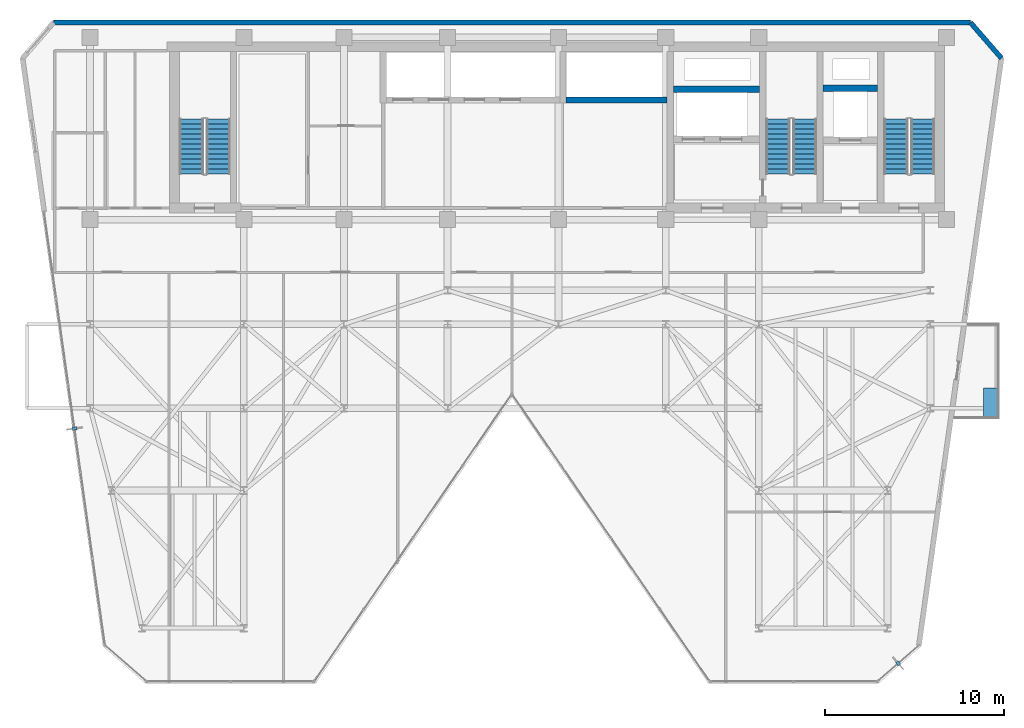
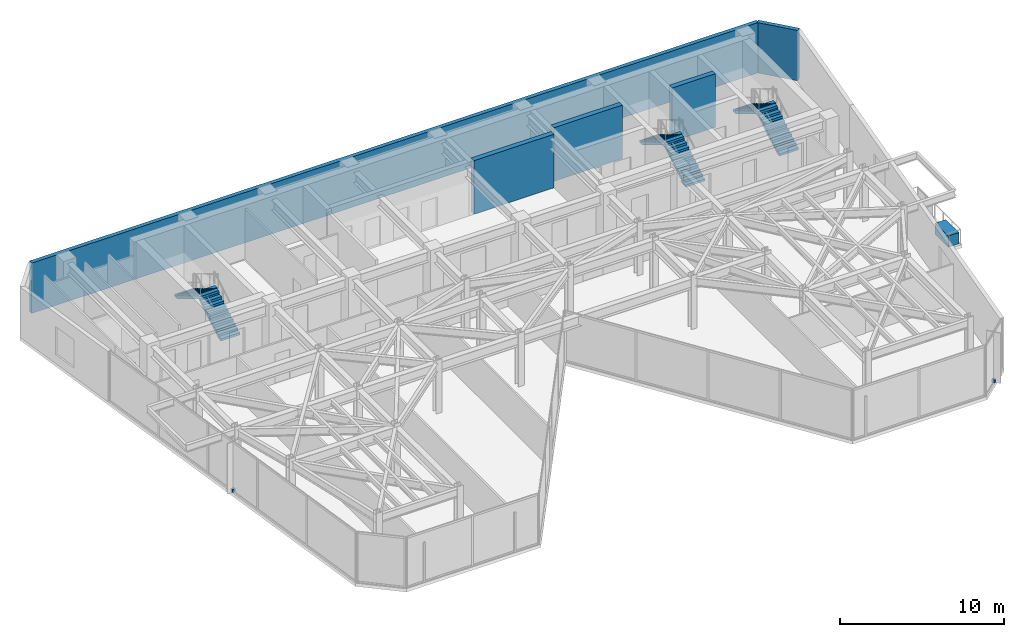
# One storey, part 24 of 27: 6 stair flights, 5 walls, 3 discrete accessories, 3 elements without a shape of their own.
"""IFC4 building model written with IfcOpenShell, lengths in metres."""

import ifcopenshell
import ifcopenshell.guid

model = None  # the IFC model being written
_history = None  # IfcOwnerHistory: only IFC2X3 demands one
_inside = {}  # id of a spatial element -> (the spatial element, [elements in it])
_under = {}  # id of a project, library or spatial element -> (it, [spatial elements below it])
_declared = {}  # id of a project -> (the project, [libraries it declares])
_typed = {}  # id of a type object -> (the type object, [elements of that type])
_made_of = {}  # id of a material, layer set ... -> (it, [elements and type objects made of it])


def new_model(schema):
    """Start an empty IFC model of exactly this schema.

    Asked for "IFC4X3", IfcOpenShell would pick the latest addendum, in which some entities
    have other attributes; the version numbers below select the first issue.
    IFC2X3 requires an IfcOwnerHistory on every rooted entity: one is made here for all.
    """
    global model, _history
    if schema == "IFC4X3":
        model = ifcopenshell.file(schema_version=(4, 3, 0, 0))
    else:
        model = ifcopenshell.file(schema=schema)
    _inside.clear()
    _under.clear()
    _declared.clear()
    _typed.clear()
    _made_of.clear()
    _history = None
    if model.schema == "IFC2X3":
        org = make("IfcOrganization", Name="unknown")
        user = make(
            "IfcPersonAndOrganization",
            ThePerson=make("IfcPerson", FamilyName="unknown"),
            TheOrganization=org,
        )
        app = make(
            "IfcApplication",
            ApplicationDeveloper=org,
            Version="unknown",
            ApplicationFullName="unknown",
            ApplicationIdentifier="unknown",
        )
        _history = make(
            "IfcOwnerHistory",
            OwningUser=user,
            OwningApplication=app,
            ChangeAction="ADDED",
            CreationDate=0,
        )
    return model


def make(cls, **values):
    """One entity of the class cls with the attributes given. An attribute that is None is left unset."""
    return model.create_entity(
        cls, **{name: value for name, value in values.items() if value is not None}
    )


def rooted(cls, **values):
    """An entity with a GlobalId (a new one), such as an element, a storey or a relation."""
    return make(cls, GlobalId=ifcopenshell.guid.new(), OwnerHistory=_history, **values)


def si_unit(unit_type, name, prefix=None):
    """IfcSIUnit, for example si_unit("LENGTHUNIT", "METRE", prefix="MILLI")."""
    return make("IfcSIUnit", UnitType=unit_type, Prefix=prefix, Name=name)


def assignment(units):
    """IfcUnitAssignment: the units of a project."""
    return None if units is None else make("IfcUnitAssignment", Units=units)


def point(xyz):
    """IfcCartesianPoint."""
    return None if xyz is None else make("IfcCartesianPoint", Coordinates=xyz)


def direction(xyz):
    """IfcDirection."""
    return None if xyz is None else make("IfcDirection", DirectionRatios=xyz)


def frame(location, z_axis=None, x_axis=None):
    """IfcAxis2Placement3D, a coordinate frame: its origin and axes. An axis left out is left unset."""
    return make(
        "IfcAxis2Placement3D",
        Location=point(location),
        Axis=direction(z_axis),
        RefDirection=direction(x_axis),
    )


def frame_2d(location, x_axis=None):
    """IfcAxis2Placement2D, a coordinate frame in the plane: its origin and x axis."""
    return make(
        "IfcAxis2Placement2D", Location=point(location), RefDirection=direction(x_axis)
    )


def origin():
    """The frame at (0, 0, 0) with its axes left unset."""
    return frame((0.0, 0.0, 0.0))


def origin_2d():
    """The frame at (0, 0) in the plane with its x axis left unset."""
    return frame_2d((0.0, 0.0))


def place(relative_to, where):
    """IfcLocalPlacement: puts the frame where relative to a parent placement (None: the world)."""
    return make(
        "IfcLocalPlacement", PlacementRelTo=relative_to, RelativePlacement=where
    )


def context(
    kind, dimensions, precision=None, world=None, true_north=None, identifier=None
):
    """IfcGeometricRepresentationContext, for example the 3D "Model" context."""
    return make(
        "IfcGeometricRepresentationContext",
        ContextIdentifier=identifier,
        ContextType=kind,
        CoordinateSpaceDimension=dimensions,
        Precision=precision,
        WorldCoordinateSystem=world,
        TrueNorth=true_north,
    )


def subcontext(parent, identifier, kind, view, scale=None):
    """IfcGeometricRepresentationSubContext, for example "Body" below "Model"."""
    return make(
        "IfcGeometricRepresentationSubContext",
        ContextIdentifier=identifier,
        ContextType=kind,
        ParentContext=parent,
        TargetScale=scale,
        TargetView=view,
    )


def project(units=None, contexts=None):
    """IfcProject with its units and contexts."""
    return rooted(
        "IfcProject",
        Name="project",
        RepresentationContexts=contexts,
        UnitsInContext=assignment(units),
    )


def spatial(cls, under=None, at=None, **own):
    """A site, building, storey or space (cls), placed at a placement, below another one or the project."""
    s = rooted(cls, ObjectPlacement=at, **own)
    if under is not None:
        _under.setdefault(under.id(), (under, []))[1].append(s)
    return s


def polyline(points):
    """IfcPolyline through the points."""
    return make("IfcPolyline", Points=[point(p) for p in points])


def profile(cls, at=None, kind="AREA", **sizes):
    """A parametric profile (cls). Its sizes go by their IFC names, for example OverallWidth=200.0."""
    return make(cls, ProfileType=kind, Position=at, **sizes)


def rectangle(**sizes):
    """IfcRectangleProfileDef."""
    return profile("IfcRectangleProfileDef", **sizes)


def outline(outer, holes=None, kind="AREA"):
    """IfcArbitraryClosedProfileDef: a profile drawn as a closed curve; with holes, ...WithVoids."""
    if holes is None:
        return make("IfcArbitraryClosedProfileDef", ProfileType=kind, OuterCurve=outer)
    return make(
        "IfcArbitraryProfileDefWithVoids",
        ProfileType=kind,
        OuterCurve=outer,
        InnerCurves=holes,
    )


def extrude(swept, where, along, depth):
    """IfcExtrudedAreaSolid: the profile swept, set in the frame where, extruded along a direction by depth."""
    return make(
        "IfcExtrudedAreaSolid",
        SweptArea=swept,
        Position=where,
        ExtrudedDirection=direction(along),
        Depth=depth,
    )


def shape(context_of_items, identifier, shape_type, items):
    """IfcShapeRepresentation: the items that make up one representation, for example the "Body"."""
    return make(
        "IfcShapeRepresentation",
        ContextOfItems=context_of_items,
        RepresentationIdentifier=identifier,
        RepresentationType=shape_type,
        Items=items,
    )


def material(Name=None, Category=None):
    """IfcMaterial."""
    return make("IfcMaterial", Name=Name, Category=Category)


def layer(
    of_material, thickness, ventilated=None, Name=None, Category=None, Priority=None
):
    """IfcMaterialLayer: one layer of a wall or slab, of a material (None: an air gap)."""
    return make(
        "IfcMaterialLayer",
        Material=of_material,
        LayerThickness=thickness,
        IsVentilated=ventilated,
        Name=Name,
        Category=Category,
        Priority=Priority,
    )


def layer_set(layers, Name=None):
    """IfcMaterialLayerSet."""
    return make("IfcMaterialLayerSet", MaterialLayers=layers, LayerSetName=Name)


def made_of(thing, what):
    """Note that an element or type object is made of a material, layer set ...; save() writes the relation."""
    if what is not None:
        _made_of.setdefault(what.id(), (what, []))[1].append(thing)
    return thing


def type_object(cls, material=None, **own):
    """A type object (cls), such as IfcWallType, which elements share."""
    return made_of(rooted(cls, **own), material)


def element(
    cls,
    number,
    at=None,
    inside=None,
    cuts=None,
    type_object=None,
    material=None,
    context=None,
    identifier="Body",
    shape_type=None,
    held_by="IfcProductDefinitionShape",
    body=None,
    shapes=None,
    **own,
):
    """One element of the class cls, such as IfcWall. Its Tag is "e" and its number.

    at: its placement. inside: the storey or other place that contains it. cuts: it is an
    opening in that element (IfcRelVoidsElement). A single representation is given by context,
    identifier, shape_type and body (its items); several are given by shapes. held_by: the class
    of the entity that holds the representations. save() writes the other relations.
    """
    e = rooted(cls, Tag="e%d" % number, ObjectPlacement=at, **own)
    if body is not None:
        shapes = [shape(context, identifier, shape_type, body)]
    if shapes is not None:
        e.Representation = make(held_by, Representations=shapes)
    if inside is not None:
        _inside.setdefault(inside.id(), (inside, []))[1].append(e)
    if cuts is not None:
        rooted(
            "IfcRelVoidsElement", RelatingBuildingElement=cuts, RelatedOpeningElement=e
        )
    if type_object is not None:
        _typed.setdefault(type_object.id(), (type_object, []))[1].append(e)
    return made_of(e, material)


def aggregate(whole, parts):
    """IfcRelAggregates: a whole, such as a stair, and the parts it consists of."""
    return rooted("IfcRelAggregates", RelatingObject=whole, RelatedObjects=parts)


def save(model, path):
    """Write the relations noted so far, then the file.

    IfcRelAggregates (storeys below a building ...), IfcRelContainedInSpatialStructure (elements
    in a storey), IfcRelDefinesByType, IfcRelAssociatesMaterial and IfcRelDeclares: one each for
    every whole, place, type object, material and project.
    """
    for whole, parts in _under.values():
        aggregate(whole, parts)
    for where, things in _inside.values():
        rooted(
            "IfcRelContainedInSpatialStructure",
            RelatedElements=things,
            RelatingStructure=where,
        )
    for kind, things in _typed.values():
        rooted("IfcRelDefinesByType", RelatedObjects=things, RelatingType=kind)
    for what, things in _made_of.values():
        rooted("IfcRelAssociatesMaterial", RelatedObjects=things, RelatingMaterial=what)
    for by, libraries in _declared.values():
        rooted("IfcRelDeclares", RelatingContext=by, RelatedDefinitions=libraries)
    model.write(path)


model = new_model("IFC4")

# Units and contexts
model_context = context("Model", 3, precision=1e-05, world=origin(), true_north=direction((0.0, 1.0)))
body_context = subcontext(model_context, "Body", "Model", "MODEL_VIEW")
ifc_project = project(units=[si_unit("LENGTHUNIT", "METRE"), si_unit("AREAUNIT", "SQUARE_METRE"), si_unit("VOLUMEUNIT", "CUBIC_METRE"), si_unit("PLANEANGLEUNIT", "RADIAN"), si_unit("MASSUNIT", "GRAM", prefix="KILO")], contexts=[model_context])

# Site, building, storey
site_placement = place(None, origin())
site = spatial("IfcSite", under=ifc_project, at=site_placement, CompositionType="ELEMENT")
building_placement = place(site_placement, origin())
building = spatial("IfcBuilding", under=site, at=building_placement, Name="Kravanh Interchange Tower", CompositionType="ELEMENT")
storey_placement = place(building_placement, frame((0.0, 0.0, 164.5)))
storey = spatial("IfcBuildingStorey", under=building, at=storey_placement, Name="L39", CompositionType="ELEMENT", Elevation=164.5)

# Walls
ifc_material_1 = material(Name="Concrete C60/75", Category="concrete")
ifc_layer_1 = layer(ifc_material_1, 0.35009765625)
ifc_layer_set_1 = layer_set([ifc_layer_1], Name="Core Shear Wall Concrete C60/75 350mm")
wall_type_1 = type_object("IfcWallType", Name="Core Shear Wall Concrete C60/75 350mm", PredefinedType="SHEAR", material=ifc_layer_set_1)
wall_1_placement = place(storey_placement, frame((59.60009765625, 44.699951171875, 0.0), z_axis=(0.0, 0.0, 1.0), x_axis=(1.0, 0.0, 0.0)))
element("IfcWall", 1, at=wall_1_placement, inside=storey, type_object=wall_type_1, Name="L39 Service Lift Shaft North Wall", PredefinedType="SHEAR", context=body_context, shape_type="SweptSolid", body=[
    extrude(rectangle(XDim=3.0498046875, YDim=0.35009765625, at=frame_2d((1.52490234375, 0.0))), origin(), (0.0, 0.0, 1.0), 4.0),
])
wall_2_placement = place(storey_placement, frame((51.22509765625, 44.64990234375, 0.0), z_axis=(0.0, 0.0, 1.0), x_axis=(1.0, 0.0, 0.0)))
element("IfcWall", 2, at=wall_2_placement, inside=storey, type_object=wall_type_1, Name="L39 Fire Lift Shaft North Wall", PredefinedType="SHEAR", context=body_context, shape_type="SweptSolid", body=[
    extrude(rectangle(XDim=4.824951171875, YDim=0.35009765625, at=frame_2d((2.41259765625, 0.0))), origin(), (0.0, 0.0, 1.0), 4.0),
])
wall_3_placement = place(storey_placement, frame((45.22509765625, 44.050048828125, 0.0), z_axis=(0.0, 0.0, 1.0), x_axis=(1.0, 0.0, 0.0)))
element("IfcWall", 3, at=wall_3_placement, inside=storey, type_object=wall_type_1, Name="L39 High-Rise Lift Shaft South Wall", PredefinedType="SHEAR", context=body_context, shape_type="SweptSolid", body=[
    extrude(rectangle(XDim=5.64990234375, YDim=0.35009765625, at=frame_2d((2.824951171875, 0.0))), origin(), (0.0, 0.0, 1.0), 4.0),
])
ifc_material_2 = material(Name="Insulated Precast Concrete C40/50 with Bronze Cladding", Category="concrete")
ifc_layer_2 = layer(ifc_material_2, 0.280029296875)
ifc_layer_set_2 = layer_set([ifc_layer_2], Name="Exterior Insulated Concrete C40/50 Bronze Spandrel Wall 280mm")
wall_type_2 = type_object("IfcWallType", Name="Exterior Insulated Concrete C40/50 Bronze Spandrel Wall 280mm", PredefinedType="STANDARD", material=ifc_layer_set_2)
wall_4_placement = place(storey_placement, frame((16.5546875, 48.3798828125, 0.0), z_axis=(0.0, 0.0, 1.0), x_axis=(1.0, 0.0, 0.0)))
element("IfcWall", 4, at=wall_4_placement, inside=storey, type_object=wall_type_2, Name="L39 Exterior Wall 3", PredefinedType="STANDARD", context=body_context, shape_type="SweptSolid", body=[
    extrude(rectangle(XDim=51.29052734375, YDim=0.280029296875, at=frame_2d((25.645263671875, 0.0))), origin(), (0.0, 0.0, 1.0), 3.7548828125),
])
wall_5_placement = place(storey_placement, frame((67.84521484375, 48.3798828125, 0.0), z_axis=(0.0, 0.0, 1.0), x_axis=(0.656071351282, -0.754698868442, 0.0)))
element("IfcWall", 5, at=wall_5_placement, inside=storey, type_object=wall_type_2, Name="L39 Exterior Wall 4", PredefinedType="STANDARD", context=body_context, shape_type="SweptSolid", body=[
    extrude(rectangle(XDim=2.646240234375, YDim=0.280029296875, at=frame_2d((1.3232421875, 0.0))), origin(), (0.0, 0.0, 1.0), 3.7548828125),
])

# Stair, stair flights
ifc_material_3 = material(Name="Concrete C50/60", Category="concrete")
stair_type = type_object("IfcStairType", Name="Core Fire Exit Dogleg Stair Concrete C50/60", PredefinedType="HALF_TURN_STAIR", material=ifc_material_3)
stair_1_placement = place(storey_placement, origin())
stair_1 = element("IfcStair", 6, at=stair_1_placement, inside=storey, type_object=stair_type, Name="L39 Exit Stair ST1", PredefinedType="HALF_TURN_STAIR")
ifc_material_4 = material(Name="Precast Concrete C50/60", Category="concrete")
ifc_layer_3 = layer(ifc_material_4, 0.199951171875)
ifc_layer_set_3 = layer_set([ifc_layer_3], Name="Precast Concrete C50/60 Stair Flight 1350mm")
stair_flight_type = type_object("IfcStairFlightType", Name="Precast Concrete C50/60 Stair Flight 1350mm", PredefinedType="STRAIGHT", material=ifc_layer_set_3)
stair_flight_1_placement = place(storey_placement, frame((65.175048828125, 39.89990234375, 0.0), z_axis=(0.0, 0.0, 1.0), x_axis=(0.0, 1.0, 0.0)))
stair_flight_1 = element("IfcStairFlight", 7, at=stair_flight_1_placement, type_object=stair_flight_type, Name="ST1 flight 1", NumberOfRisers=12, NumberOfTreads=11, PredefinedType="STRAIGHT", RiserHeight=0.166666667, TreadLength=0.28, context=body_context, shape_type="SweptSolid", body=[
    extrude(outline(polyline([(0.0, 0.0), (0.0, 0.166748046875), (0.280029296875, 0.166748046875), (0.280029296875, 0.333251953125), (0.56005859375, 0.333251953125), (0.56005859375, 0.5), (0.840087890625, 0.5), (0.840087890625, 0.666748046875), (1.1201171875, 0.666748046875), (1.1201171875, 0.833251953125), (1.39990234375, 0.833251953125), (1.39990234375, 1.0), (1.679931640625, 1.0), (1.679931640625, 1.166748046875), (1.9599609375, 1.166748046875), (1.9599609375, 1.333251953125), (2.239990234375, 1.333251953125), (2.239990234375, 1.5), (2.52001953125, 1.5), (2.52001953125, 1.666748046875), (2.800048828125, 1.666748046875), (2.800048828125, 1.833251953125), (3.080078125, 1.833251953125), (3.080078125, 2.0), (3.080078125, 1.658935546875), (0.29296875, 0.0), (0.0, 0.0)])), frame((0.0, 0.675048828125, 0.0), z_axis=(0.0, -1.0, 0.0), x_axis=(1.0, 0.0, 0.0)), (0.0, 0.0, 1.0), 1.35009765625),
])
stair_flight_2_placement = place(storey_placement, frame((63.675048828125, 42.97998046875, 2.0), z_axis=(0.0, 0.0, 1.0), x_axis=(0.0, -1.0, 0.0)))
stair_flight_2 = element("IfcStairFlight", 8, at=stair_flight_2_placement, type_object=stair_flight_type, Name="ST1 flight 2", NumberOfRisers=12, NumberOfTreads=11, PredefinedType="STRAIGHT", RiserHeight=0.166666667, TreadLength=0.28, context=body_context, shape_type="SweptSolid", body=[
    extrude(outline(polyline([(0.0, 0.0), (0.0, 0.166748046875), (0.280029296875, 0.166748046875), (0.280029296875, 0.333251953125), (0.56005859375, 0.333251953125), (0.56005859375, 0.5), (0.840087890625, 0.5), (0.840087890625, 0.666748046875), (1.1201171875, 0.666748046875), (1.1201171875, 0.833251953125), (1.39990234375, 0.833251953125), (1.39990234375, 1.0), (1.679931640625, 1.0), (1.679931640625, 1.166748046875), (1.9599609375, 1.166748046875), (1.9599609375, 1.333251953125), (2.239990234375, 1.333251953125), (2.239990234375, 1.5), (2.52001953125, 1.5), (2.52001953125, 1.666748046875), (2.800048828125, 1.666748046875), (2.800048828125, 1.833251953125), (3.080078125, 1.833251953125), (3.080078125, 2.0), (3.080078125, 1.658935546875), (0.29296875, 0.0), (0.0, 0.0)])), frame((0.0, 0.675048828125, 0.0), z_axis=(0.0, -1.0, 0.0), x_axis=(1.0, 0.0, 0.0)), (0.0, 0.0, 1.0), 1.35009765625),
])
aggregate(stair_1, [stair_flight_1, stair_flight_2])

stair_2_placement = place(storey_placement, origin())
stair_2 = element("IfcStair", 9, at=stair_2_placement, inside=storey, type_object=stair_type, Name="L39 Exit Stair ST2", PredefinedType="HALF_TURN_STAIR")
stair_flight_3_placement = place(storey_placement, frame((58.574951171875, 39.89990234375, 0.0), z_axis=(0.0, 0.0, 1.0), x_axis=(0.0, 1.0, 0.0)))
stair_flight_3 = element("IfcStairFlight", 10, at=stair_flight_3_placement, type_object=stair_flight_type, Name="ST2 flight 1", NumberOfRisers=12, NumberOfTreads=11, PredefinedType="STRAIGHT", RiserHeight=0.166666667, TreadLength=0.28, context=body_context, shape_type="SweptSolid", body=[
    extrude(outline(polyline([(0.0, 0.0), (0.0, 0.166748046875), (0.280029296875, 0.166748046875), (0.280029296875, 0.333251953125), (0.56005859375, 0.333251953125), (0.56005859375, 0.5), (0.840087890625, 0.5), (0.840087890625, 0.666748046875), (1.1201171875, 0.666748046875), (1.1201171875, 0.833251953125), (1.39990234375, 0.833251953125), (1.39990234375, 1.0), (1.679931640625, 1.0), (1.679931640625, 1.166748046875), (1.9599609375, 1.166748046875), (1.9599609375, 1.333251953125), (2.239990234375, 1.333251953125), (2.239990234375, 1.5), (2.52001953125, 1.5), (2.52001953125, 1.666748046875), (2.800048828125, 1.666748046875), (2.800048828125, 1.833251953125), (3.080078125, 1.833251953125), (3.080078125, 2.0), (3.080078125, 1.658935546875), (0.29296875, 0.0), (0.0, 0.0)])), frame((0.0, 0.675048828125, 0.0), z_axis=(0.0, -1.0, 0.0), x_axis=(1.0, 0.0, 0.0)), (0.0, 0.0, 1.0), 1.35009765625),
])
stair_flight_4_placement = place(storey_placement, frame((57.074951171875, 42.97998046875, 2.0), z_axis=(0.0, 0.0, 1.0), x_axis=(0.0, -1.0, 0.0)))
stair_flight_4 = element("IfcStairFlight", 11, at=stair_flight_4_placement, type_object=stair_flight_type, Name="ST2 flight 2", NumberOfRisers=12, NumberOfTreads=11, PredefinedType="STRAIGHT", RiserHeight=0.166666667, TreadLength=0.28, context=body_context, shape_type="SweptSolid", body=[
    extrude(outline(polyline([(0.0, 0.0), (0.0, 0.166748046875), (0.280029296875, 0.166748046875), (0.280029296875, 0.333251953125), (0.56005859375, 0.333251953125), (0.56005859375, 0.5), (0.840087890625, 0.5), (0.840087890625, 0.666748046875), (1.1201171875, 0.666748046875), (1.1201171875, 0.833251953125), (1.39990234375, 0.833251953125), (1.39990234375, 1.0), (1.679931640625, 1.0), (1.679931640625, 1.166748046875), (1.9599609375, 1.166748046875), (1.9599609375, 1.333251953125), (2.239990234375, 1.333251953125), (2.239990234375, 1.5), (2.52001953125, 1.5), (2.52001953125, 1.666748046875), (2.800048828125, 1.666748046875), (2.800048828125, 1.833251953125), (3.080078125, 1.833251953125), (3.080078125, 2.0), (3.080078125, 1.658935546875), (0.29296875, 0.0), (0.0, 0.0)])), frame((0.0, 0.675048828125, 0.0), z_axis=(0.0, -1.0, 0.0), x_axis=(1.0, 0.0, 0.0)), (0.0, 0.0, 1.0), 1.35009765625),
])
aggregate(stair_2, [stair_flight_3, stair_flight_4])

stair_3_placement = place(storey_placement, origin())
stair_3 = element("IfcStair", 12, at=stair_3_placement, inside=storey, type_object=stair_type, Name="L39 Exit Stair ST3", PredefinedType="HALF_TURN_STAIR")
stair_flight_5_placement = place(storey_placement, frame((25.77490234375, 39.89990234375, 0.0), z_axis=(0.0, 0.0, 1.0), x_axis=(0.0, 1.0, 0.0)))
stair_flight_5 = element("IfcStairFlight", 13, at=stair_flight_5_placement, type_object=stair_flight_type, Name="ST3 flight 1", NumberOfRisers=12, NumberOfTreads=11, PredefinedType="STRAIGHT", RiserHeight=0.166666667, TreadLength=0.28, context=body_context, shape_type="SweptSolid", body=[
    extrude(outline(polyline([(0.0, 0.0), (0.0, 0.166748046875), (0.280029296875, 0.166748046875), (0.280029296875, 0.333251953125), (0.56005859375, 0.333251953125), (0.56005859375, 0.5), (0.840087890625, 0.5), (0.840087890625, 0.666748046875), (1.1201171875, 0.666748046875), (1.1201171875, 0.833251953125), (1.39990234375, 0.833251953125), (1.39990234375, 1.0), (1.679931640625, 1.0), (1.679931640625, 1.166748046875), (1.9599609375, 1.166748046875), (1.9599609375, 1.333251953125), (2.239990234375, 1.333251953125), (2.239990234375, 1.5), (2.52001953125, 1.5), (2.52001953125, 1.666748046875), (2.800048828125, 1.666748046875), (2.800048828125, 1.833251953125), (3.080078125, 1.833251953125), (3.080078125, 2.0), (3.080078125, 1.658935546875), (0.29296875, 0.0), (0.0, 0.0)])), frame((0.0, 0.675048828125, 0.0), z_axis=(0.0, -1.0, 0.0), x_axis=(1.0, 0.0, 0.0)), (0.0, 0.0, 1.0), 1.35009765625),
])
stair_flight_6_placement = place(storey_placement, frame((24.27490234375, 42.97998046875, 2.0), z_axis=(0.0, 0.0, 1.0), x_axis=(0.0, -1.0, 0.0)))
stair_flight_6 = element("IfcStairFlight", 14, at=stair_flight_6_placement, type_object=stair_flight_type, Name="ST3 flight 2", NumberOfRisers=12, NumberOfTreads=11, PredefinedType="STRAIGHT", RiserHeight=0.166666667, TreadLength=0.28, context=body_context, shape_type="SweptSolid", body=[
    extrude(outline(polyline([(0.0, 0.0), (0.0, 0.166748046875), (0.280029296875, 0.166748046875), (0.280029296875, 0.333251953125), (0.56005859375, 0.333251953125), (0.56005859375, 0.5), (0.840087890625, 0.5), (0.840087890625, 0.666748046875), (1.1201171875, 0.666748046875), (1.1201171875, 0.833251953125), (1.39990234375, 0.833251953125), (1.39990234375, 1.0), (1.679931640625, 1.0), (1.679931640625, 1.166748046875), (1.9599609375, 1.166748046875), (1.9599609375, 1.333251953125), (2.239990234375, 1.333251953125), (2.239990234375, 1.5), (2.52001953125, 1.5), (2.52001953125, 1.666748046875), (2.800048828125, 1.666748046875), (2.800048828125, 1.833251953125), (3.080078125, 1.833251953125), (3.080078125, 2.0), (3.080078125, 1.658935546875), (0.29296875, 0.0), (0.0, 0.0)])), frame((0.0, 0.675048828125, 0.0), z_axis=(0.0, -1.0, 0.0), x_axis=(1.0, 0.0, 0.0)), (0.0, 0.0, 1.0), 1.35009765625),
])
aggregate(stair_3, [stair_flight_5, stair_flight_6])

# Discrete accessories
ifc_material_5 = material(Name="Stainless Steel 316", Category="steel")
discrete_accessory_type_1 = type_object("IfcDiscreteAccessoryType", Name="Solar Fin Curtain-Wall Mounting Bracket Stainless 316", PredefinedType="BRACKET", material=ifc_material_5)
for number, where, z_axis, x_axis, name in (
    (15, (17.729736328125, 25.67041015625, 0.0), (0.0, 0.0, 1.0), (-0.990268182791, -0.139172289451, 0.0), "L39 Solar Fin Mounting Bracket 1"),
    (16, (63.80322265625, 12.530517578125, 0.0), (0.0, 0.0, 1.0), (0.656059988016, -0.754708746554, 0.0), "L39 Solar Fin Mounting Bracket 2"),
):
    element("IfcDiscreteAccessory", number, at=place(storey_placement, frame(where, z_axis=z_axis, x_axis=x_axis)), inside=storey, type_object=discrete_accessory_type_1, Name=name, PredefinedType="BRACKET", context=body_context, shape_type="SweptSolid", body=[
        extrude(rectangle(XDim=0.239990234375, YDim=0.179931640625, at=origin_2d()), origin(), (0.0, 0.0, 1.0), 0.219970703125),
    ])
ifc_material_6 = material(Name="Architectural GRC Concrete C40/50 with Root Barrier", Category="concrete")
discrete_accessory_type_2 = type_object("IfcDiscreteAccessoryType", Name="Structural Balcony Tree Planter Box Concrete C40/50 1600x750x850", PredefinedType="USERDEFINED", material=ifc_material_6)
discrete_accessory_placement = place(storey_placement, frame((68.952880859375, 27.139892578125, 0.0), z_axis=(0.0, 0.0, 1.0), x_axis=(1.0, 0.0, 0.0)))
element("IfcDiscreteAccessory", 17, at=discrete_accessory_placement, inside=storey, type_object=discrete_accessory_type_2, Name="L39 E Balcony TREE PLANTER", ObjectType="PLANTER", PredefinedType="USERDEFINED", context=body_context, shape_type="SweptSolid", body=[
    extrude(rectangle(XDim=0.75, YDim=1.60009765625, at=origin_2d()), origin(), (0.0, 0.0, 1.0), 0.85009765625),
])

save(model, "model.ifc")
